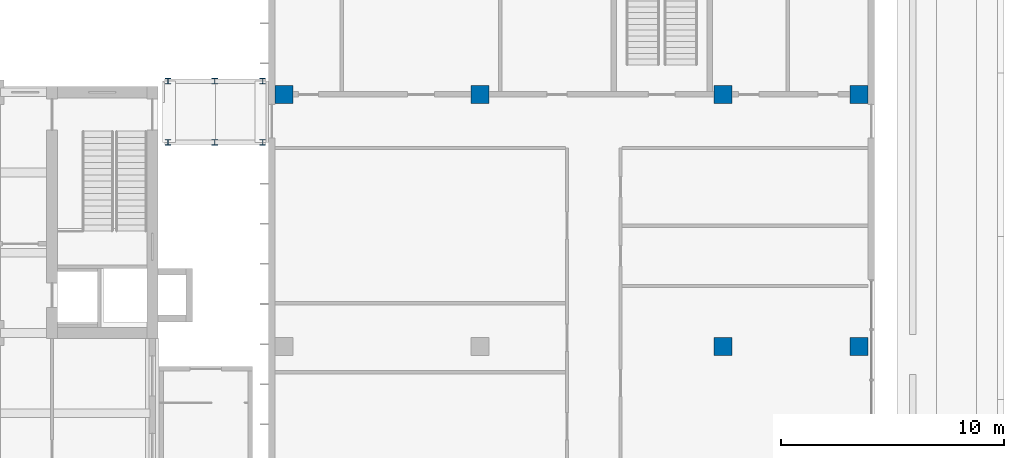
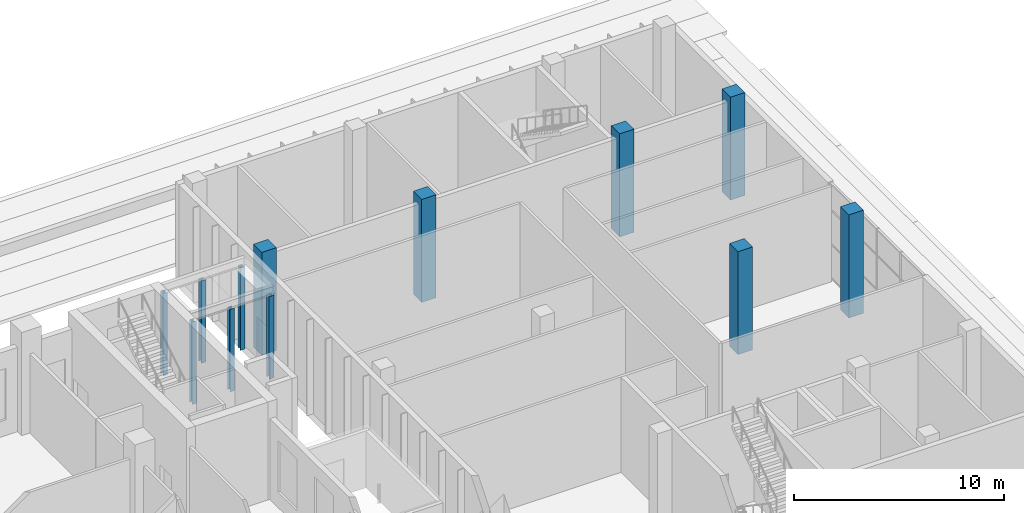
# One storey, part 14 of 71: 12 columns.
"""IFC4 building model written with IfcOpenShell, lengths in metres."""

from ifc_helpers import new_model, si_unit, direction, frame, origin, origin_2d, place, context, subcontext, project, spatial, rectangle, i_section, extrude, material, material_profile, profile_set, type_object, element, save


model = new_model("IFC4")

# Units and contexts
model_context = context("Model", 3, precision=1e-05, world=origin(), true_north=direction((0.0, 1.0)))
body_context = subcontext(model_context, "Body", "Model", "MODEL_VIEW")
ifc_project = project(units=[si_unit("LENGTHUNIT", "METRE"), si_unit("AREAUNIT", "SQUARE_METRE"), si_unit("VOLUMEUNIT", "CUBIC_METRE"), si_unit("PLANEANGLEUNIT", "RADIAN"), si_unit("MASSUNIT", "GRAM", prefix="KILO")], contexts=[model_context])

# Site, building, storey
site_placement = place(None, origin())
site = spatial("IfcSite", under=ifc_project, at=site_placement, CompositionType="ELEMENT")
building_placement = place(site_placement, origin())
building = spatial("IfcBuilding", under=site, at=building_placement, Name="Basin Gate Institute", CompositionType="ELEMENT")
storey_placement = place(building_placement, origin())
storey = spatial("IfcBuildingStorey", under=building, at=storey_placement, Name="L00", CompositionType="ELEMENT", Elevation=0.0)

# Columns
ifc_material_1 = material(Name="Structural steel SN490", Category="steel")
ifc_material_profile_1 = material_profile(ifc_material_1, i_section(OverallWidth=0.25, OverallDepth=0.25, WebThickness=0.009033203125, FlangeThickness=0.013916015625, FilletRadius=0.01611328125, at=origin_2d()), Name="H250x250")
ifc_profile_set_1 = profile_set([ifc_material_profile_1], Name="Structural steel SN490")
column_type_1 = type_object("IfcColumnType", Name="Canopy column TC3 R180", PredefinedType="COLUMN", material=ifc_profile_set_1)
for number, where, z_axis, x_axis, name in (
    (1, (119.5, 97.64990234375, 0.0), (0.0, 0.0, 1.0), (1.0, 0.0, 0.0), "East court passage column 1"),
    (2, (121.60009765625, 97.64990234375, 0.0), (0.0, 0.0, 1.0), (1.0, 0.0, 0.0), "East court passage column 2"),
    (3, (123.75, 97.64990234375, 0.0), (0.0, 0.0, 1.0), (1.0, 0.0, 0.0), "East court passage column 3"),
    (4, (119.5, 100.39990234375, 0.0), (0.0, 0.0, 1.0), (1.0, 0.0, 0.0), "East court passage column 4"),
    (5, (121.60009765625, 100.39990234375, 0.0), (0.0, 0.0, 1.0), (1.0, 0.0, 0.0), "East court passage column 5"),
    (6, (123.75, 100.39990234375, 0.0), (0.0, 0.0, 1.0), (1.0, 0.0, 0.0), "East court passage column 6"),
):
    element("IfcColumn", number, at=place(storey_placement, frame(where, z_axis=z_axis, x_axis=x_axis)), inside=storey, type_object=column_type_1, material=ifc_profile_set_1, Name=name, PredefinedType="COLUMN", context=body_context, shape_type="SweptSolid", body=[
        extrude(i_section(OverallWidth=0.25, OverallDepth=0.25, WebThickness=0.009033203125, FlangeThickness=0.013916015625, FilletRadius=0.01611328125, at=origin_2d()), origin(), (0.0, 0.0, 1.0), 4.800048828125),
    ])
ifc_material_2 = material(Name="Concrete 50 MPa", Category="concrete")
ifc_material_profile_2 = material_profile(ifc_material_2, rectangle(XDim=0.800048828125, YDim=0.800048828125, at=origin_2d()), Name="Column C4 800 x 800")
ifc_profile_set_2 = profile_set([ifc_material_profile_2], Name="Concrete 50 MPa")
column_type_2 = type_object("IfcColumnType", Name="Column C4 R180", PredefinedType="COLUMN", material=ifc_profile_set_2)
for number, where, z_axis, x_axis, name in (
    (7, (124.699951171875, 99.800048828125, 0.0), (0.0, 0.0, 1.0), (1.0, 0.0, 0.0), "Clean block column R180 1/4 L00"),
    (8, (133.5, 99.800048828125, 0.0), (0.0, 0.0, 1.0), (1.0, 0.0, 0.0), "Clean block column R180 2/4 L00"),
    (9, (144.39990234375, 88.5, 0.0), (0.0, 0.0, 1.0), (1.0, 0.0, 0.0), "Clean block column R180 3/3 L00"),
    (10, (144.39990234375, 99.800048828125, 0.0), (0.0, 0.0, 1.0), (1.0, 0.0, 0.0), "Clean block column R180 3/4 L00"),
    (11, (150.5, 88.5, 0.0), (0.0, 0.0, 1.0), (1.0, 0.0, 0.0), "Clean block column R180 4/3 L00"),
    (12, (150.5, 99.800048828125, 0.0), (0.0, 0.0, 1.0), (1.0, 0.0, 0.0), "Clean block column R180 4/4 L00"),
):
    element("IfcColumn", number, at=place(storey_placement, frame(where, z_axis=z_axis, x_axis=x_axis)), inside=storey, type_object=column_type_2, material=ifc_profile_set_2, Name=name, PredefinedType="COLUMN", context=body_context, shape_type="SweptSolid", body=[
        extrude(rectangle(XDim=0.800048828125, YDim=0.800048828125, at=origin_2d()), origin(), (0.0, 0.0, 1.0), 6.0),
    ])

save(model, "model.ifc")
